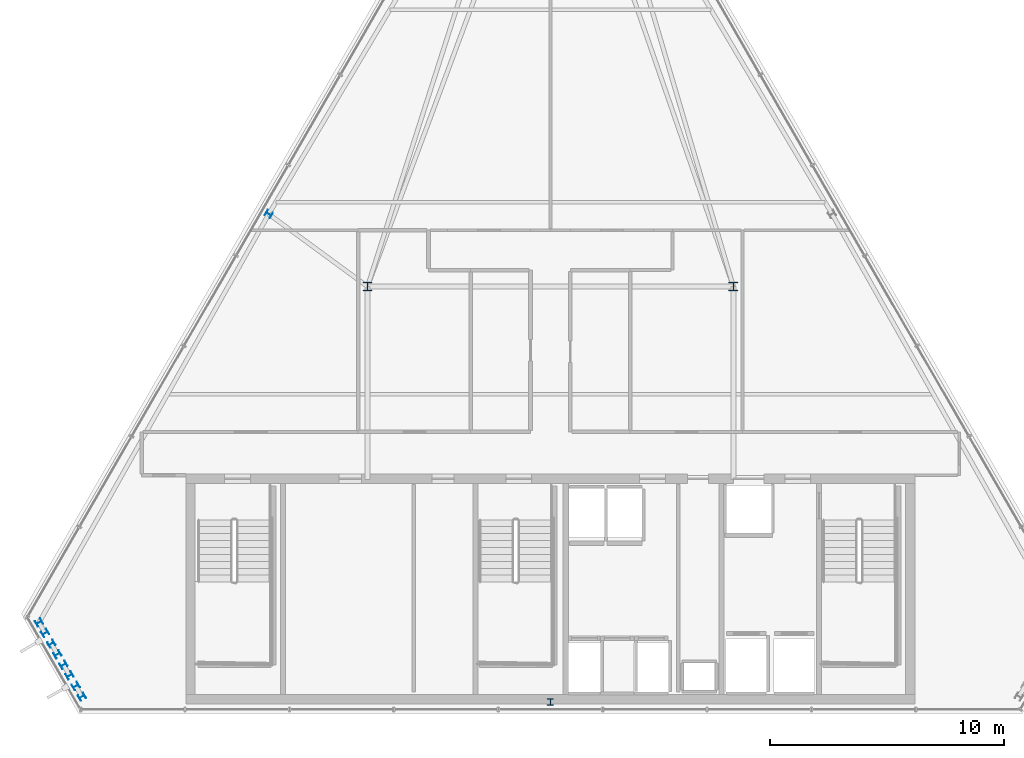
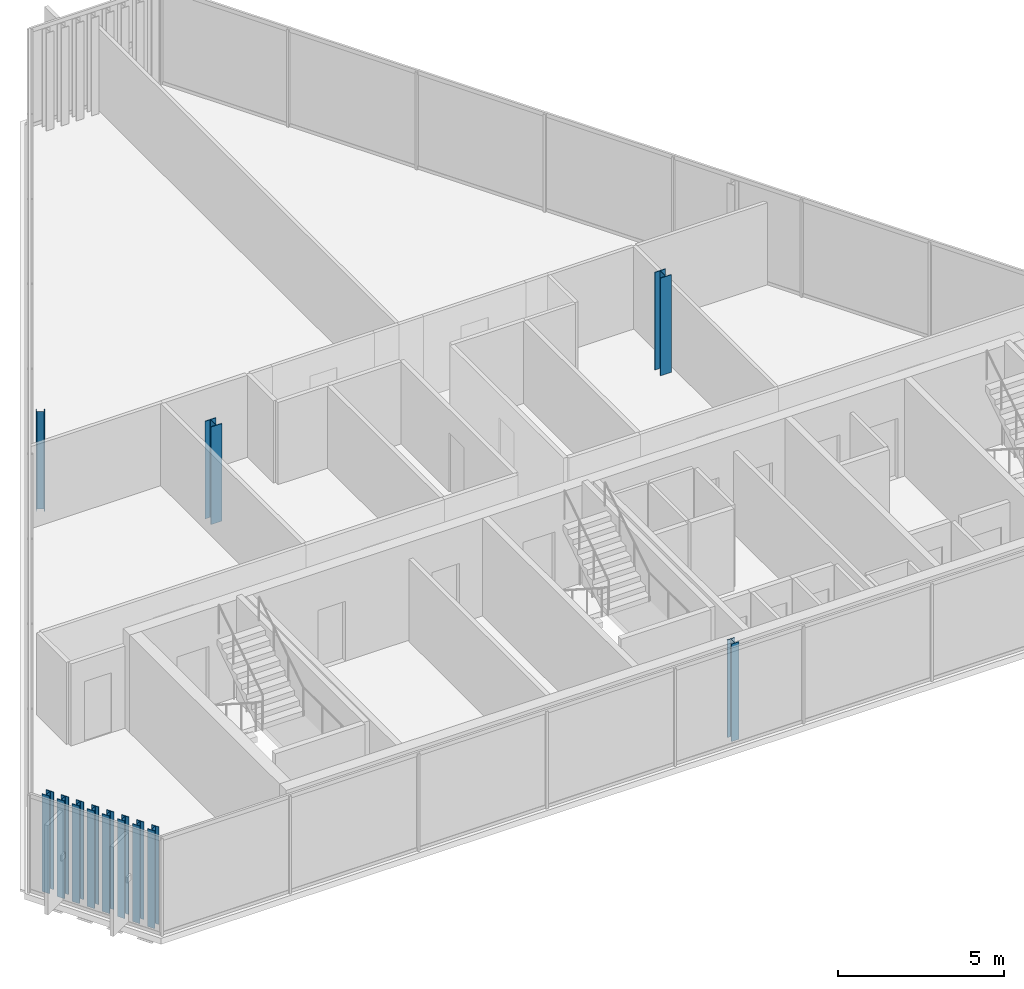
# One storey, part 1 of 32: 12 columns.
"""IFC4 building model written with IfcOpenShell, lengths in metres."""

from ifc_helpers import new_model, si_unit, direction, frame, origin, origin_2d, place, context, subcontext, project, spatial, i_section, extrude, material, material_profile, profile_set, type_object, element, save


model = new_model("IFC4")

# Units and contexts
model_context = context("Model", 3, precision=1e-05, world=origin(), true_north=direction((0.0, 1.0)))
body_context = subcontext(model_context, "Body", "Model", "MODEL_VIEW")
ifc_project = project(units=[si_unit("LENGTHUNIT", "METRE"), si_unit("AREAUNIT", "SQUARE_METRE"), si_unit("VOLUMEUNIT", "CUBIC_METRE"), si_unit("PLANEANGLEUNIT", "RADIAN"), si_unit("MASSUNIT", "GRAM", prefix="KILO")], contexts=[model_context])

# Site, building, storey
site_placement = place(None, origin())
site = spatial("IfcSite", under=ifc_project, at=site_placement, CompositionType="ELEMENT")
building_placement = place(site_placement, origin())
building = spatial("IfcBuilding", under=site, at=building_placement, Name="Ndaravel Arena Tower", CompositionType="ELEMENT")
storey_placement = place(building_placement, frame((0.0, 0.0, 283.300048828125)))
storey = spatial("IfcBuildingStorey", under=building, at=storey_placement, Name="L69", CompositionType="ELEMENT", Elevation=283.300048828125)

# Columns
ifc_material_1 = material(Name="Steel S355", Category="steel")
ifc_material_profile_1 = material_profile(ifc_material_1, i_section(OverallWidth=0.2587890625, OverallDepth=0.2666015625, WebThickness=0.0126953125, FlangeThickness=0.0205078125, FilletRadius=0.0126953125, at=origin_2d()), Name="UC 254x254x107")
ifc_profile_set_1 = profile_set([ifc_material_profile_1], Name="Steel S355")
column_type_1 = type_object("IfcColumnType", Name="COL-CRN-UC107", PredefinedType="COLUMN", material=ifc_profile_set_1)
for number, where, z_axis, x_axis, name in (
    (1, (42.0, 5.47998046875, 0.0), (0.0, 0.0, 1.0), (1.0, 0.0, 0.0), "L69 Framed Tube Column TC-01"),
    (2, (29.9873046875, 26.286865234375, 0.0), (0.0, 0.0, 1.0), (0.5, 0.866025403784, 0.0), "L69 Framed Tube Column TC-19"),
    (3, (20.192626953125, 8.869873046875, 0.0), (0.0, 0.0, 1.0), (-0.5, 0.866025403784, 0.0), "L69 Framed Tube Column TC-20"),
    (4, (20.45361328125, 8.41796875, 0.0), (0.0, 0.0, 1.0), (-0.5, 0.866025403784, 0.0), "L69 Framed Tube Column TC-21"),
    (5, (20.71435546875, 7.9658203125, 0.0), (0.0, 0.0, 1.0), (-0.5, 0.866025403784, 0.0), "L69 Framed Tube Column TC-22"),
    (6, (20.975341796875, 7.513916015625, 0.0), (0.0, 0.0, 1.0), (-0.5, 0.866025403784, 0.0), "L69 Framed Tube Column TC-23"),
    (7, (21.236328125, 7.06201171875, 0.0), (0.0, 0.0, 1.0), (-0.5, 0.866025403784, 0.0), "L69 Framed Tube Column TC-24"),
    (8, (21.497314453125, 6.610107421875, 0.0), (0.0, 0.0, 1.0), (-0.5, 0.866025403784, 0.0), "L69 Framed Tube Column TC-25"),
    (9, (21.75830078125, 6.157958984375, 0.0), (0.0, 0.0, 1.0), (-0.5, 0.866025403784, 0.0), "L69 Framed Tube Column TC-26"),
    (10, (22.01904296875, 5.7060546875, 0.0), (0.0, 0.0, 1.0), (-0.5, 0.866025403784, 0.0), "L69 Framed Tube Column TC-27"),
):
    element("IfcColumn", number, at=place(storey_placement, frame(where, z_axis=z_axis, x_axis=x_axis)), inside=storey, type_object=column_type_1, Name=name, PredefinedType="COLUMN", context=body_context, shape_type="SweptSolid", body=[
        extrude(i_section(OverallWidth=0.2587890625, OverallDepth=0.2666015625, WebThickness=0.0126953125, FlangeThickness=0.0205078125, FilletRadius=0.0126953125, at=origin_2d()), origin(), (0.0, 0.0, 1.0), 3.579833984375),
    ])
ifc_material_2 = material(Name="Steel S355", Category="steel")
ifc_material_profile_2 = material_profile(ifc_material_2, i_section(OverallWidth=0.374755859375, OverallDepth=0.37451171875, WebThickness=0.0166015625, FlangeThickness=0.027099609375, FilletRadius=0.01513671875, at=origin_2d()), Name="UC 356x368x202")
ifc_profile_set_2 = profile_set([ifc_material_profile_2], Name="Steel S355")
column_type_2 = type_object("IfcColumnType", Name="COL-CRN-UC202", PredefinedType="COLUMN", material=ifc_profile_set_2)
for number, where, z_axis, x_axis, name in (
    (11, (34.199951171875, 23.199951171875, 0.0), (0.0, 0.0, 1.0), (1.0, 0.0, 0.0), "L69 Interior Spine Column IC-01"),
    (12, (49.800048828125, 23.199951171875, 0.0), (0.0, 0.0, 1.0), (1.0, 0.0, 0.0), "L69 Interior Spine Column IC-02"),
):
    element("IfcColumn", number, at=place(storey_placement, frame(where, z_axis=z_axis, x_axis=x_axis)), inside=storey, type_object=column_type_2, Name=name, PredefinedType="COLUMN", context=body_context, shape_type="SweptSolid", body=[
        extrude(i_section(OverallWidth=0.374755859375, OverallDepth=0.37451171875, WebThickness=0.0166015625, FlangeThickness=0.027099609375, FilletRadius=0.01513671875, at=origin_2d()), origin(), (0.0, 0.0, 1.0), 3.579833984375),
    ])

save(model, "model.ifc")
